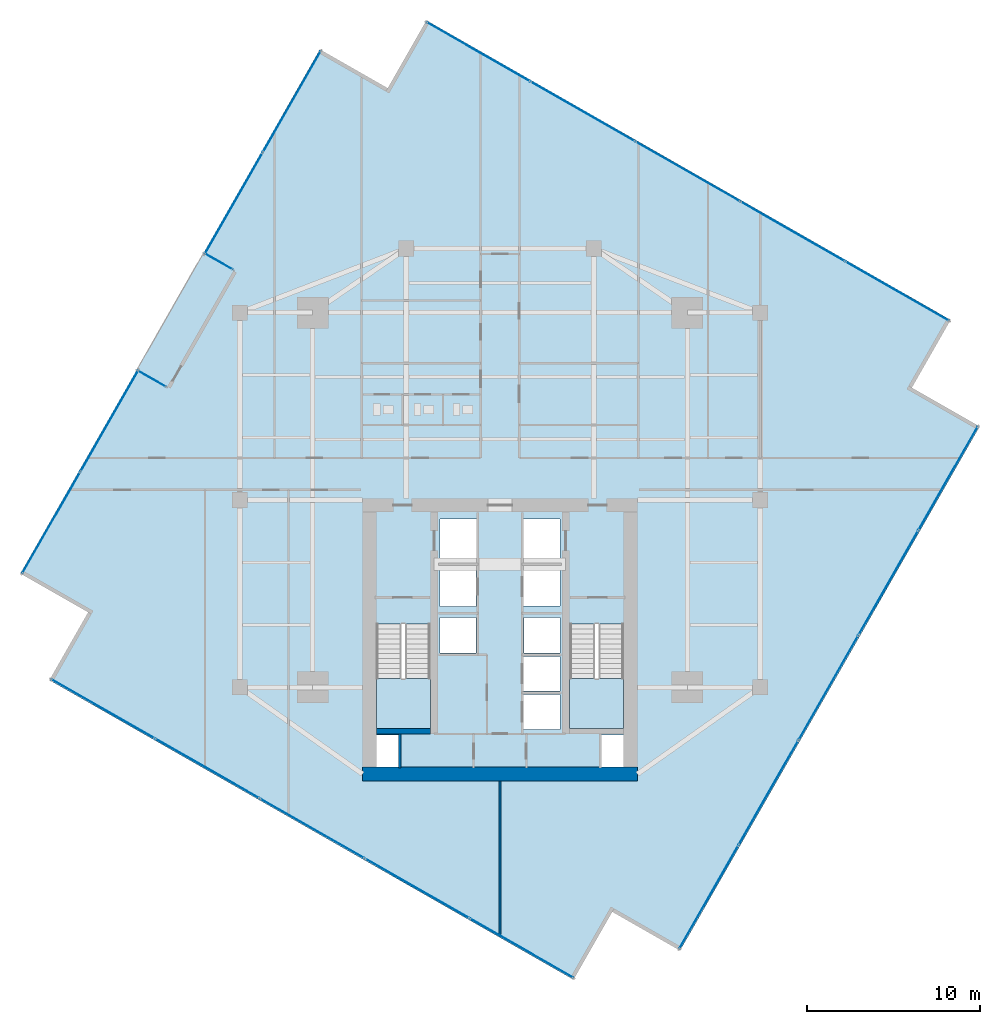
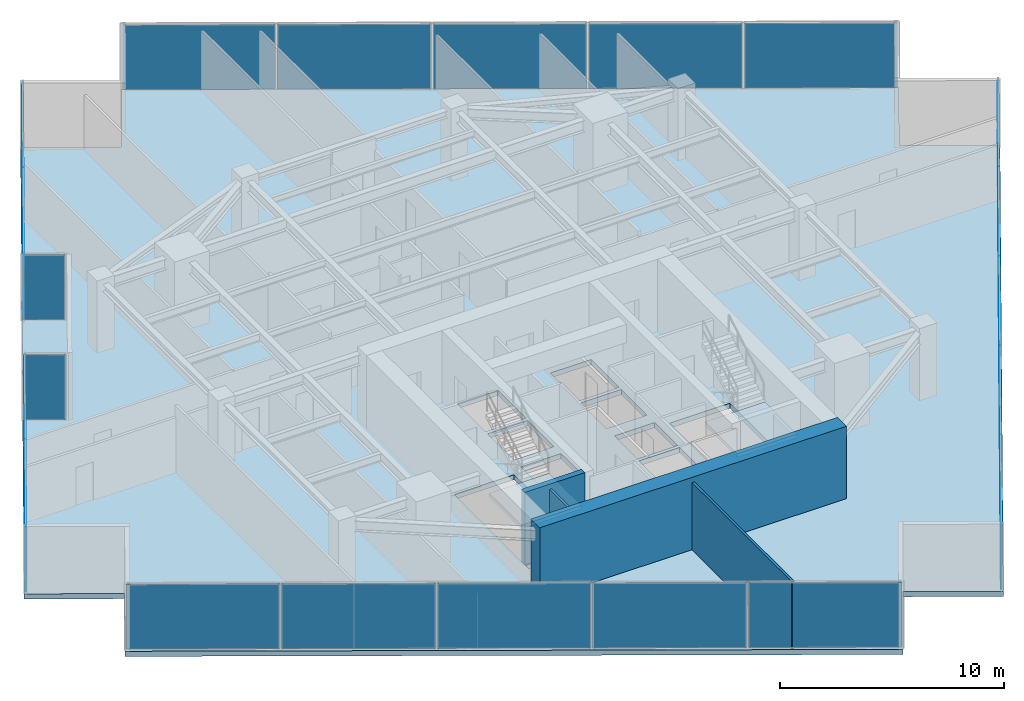
# One storey, part 19 of 24: 21 plates, 4 walls, 3 slabs, 9 elements without a shape of their own.
"""IFC4 building model written with IfcOpenShell, lengths in metres."""

from ifc_helpers import new_model, si_unit, direction, frame, frame_2d, origin, origin_2d, place, context, subcontext, project, spatial, polyline, rectangle, outline, extrude, source, transform, mapped, material, layer, layer_set, type_object, type_shapes, element, aggregate, save


model = new_model("IFC4")

# Units and contexts
model_context = context("Model", 3, precision=1e-05, world=origin(), true_north=direction((0.0, 1.0)))
body_context = subcontext(model_context, "Body", "Model", "MODEL_VIEW")
ifc_project = project(units=[si_unit("LENGTHUNIT", "METRE"), si_unit("AREAUNIT", "SQUARE_METRE"), si_unit("VOLUMEUNIT", "CUBIC_METRE"), si_unit("PLANEANGLEUNIT", "RADIAN"), si_unit("MASSUNIT", "GRAM", prefix="KILO")], contexts=[model_context])

# Site, building, storey
site_placement = place(None, origin())
site = spatial("IfcSite", under=ifc_project, at=site_placement, CompositionType="ELEMENT")
building_placement = place(site_placement, origin())
building = spatial("IfcBuilding", under=site, at=building_placement, Name="Krantzveldt Concourse Tower", CompositionType="ELEMENT")
storey_placement = place(building_placement, frame((0.0, 0.0, 169.89990234375)))
storey = spatial("IfcBuildingStorey", under=building, at=storey_placement, Name="L41", CompositionType="ELEMENT", Elevation=169.89990234375)

# Stair, slab
ifc_material_1 = material(Name="Precast concrete C40/50", Category="concrete")
stair_type = type_object("IfcStairType", Name="STR-CORE-DOGLEG", PredefinedType="HALF_TURN_STAIR", material=ifc_material_1)
stair_1_placement = place(storey_placement, origin())
stair_1 = element("IfcStair", 1, at=stair_1_placement, inside=storey, type_object=stair_type, Name="L41 Protected Escape Stair ST-1", PredefinedType="HALF_TURN_STAIR")
ifc_layer_1 = layer(ifc_material_1, 0.199951171875, Name="Precast concrete C40/50", Category="concrete")
ifc_layer_set_1 = layer_set([ifc_layer_1], Name="Precast concrete C40/50 (SL-LANDING-200)")
slab_type_1 = type_object("IfcSlabType", Name="SL-LANDING-200", PredefinedType="LANDING", material=ifc_layer_set_1)
slab_1_placement = place(storey_placement, frame((0.0, 0.0, 1.775146484375)))
slab_1 = element("IfcSlab", 2, at=slab_1_placement, type_object=slab_type_1, Name="ST-1 landing 1", PredefinedType="LANDING", context=body_context, shape_type="SweptSolid", body=[
    extrude(outline(polyline([(28.8798828125, 16.4150390625), (28.8798828125, 13.52001953125), (31.97998046875, 13.52001953125), (31.97998046875, 16.4150390625), (28.8798828125, 16.4150390625)])), origin(), (0.0, 0.0, 1.0), 0.199951171875),
])
aggregate(stair_1, [slab_1])

stair_2_placement = place(storey_placement, origin())
stair_2 = element("IfcStair", 3, at=stair_2_placement, inside=storey, type_object=stair_type, Name="L41 Protected Escape Stair ST-2", PredefinedType="HALF_TURN_STAIR")
slab_2_placement = place(storey_placement, frame((0.0, 0.0, 1.775146484375)))
slab_2 = element("IfcSlab", 4, at=slab_2_placement, type_object=slab_type_1, Name="ST-2 landing 1", PredefinedType="LANDING", context=body_context, shape_type="SweptSolid", body=[
    extrude(outline(polyline([(40.02001953125, 16.4150390625), (40.02001953125, 13.52001953125), (43.1201171875, 13.52001953125), (43.1201171875, 16.4150390625), (40.02001953125, 16.4150390625)])), origin(), (0.0, 0.0, 1.0), 0.199951171875),
])
aggregate(stair_2, [slab_2])

# Slab
ifc_material_2 = material(Name="Concrete C40/50", Category="concrete")
ifc_layer_2 = layer(ifc_material_2, 0.280029296875, Name="Concrete C40/50", Category="concrete")
ifc_layer_set_2 = layer_set([ifc_layer_2], Name="Concrete C40/50 (SL-SL-TER280)")
slab_type_2 = type_object("IfcSlabType", Name="SL-SL-TER280", PredefinedType="FLOOR", material=ifc_layer_set_2)
slab_3_placement = place(storey_placement, frame((0.0, 0.0, -0.27978515625)))
element("IfcSlab", 5, at=slab_3_placement, inside=storey, type_object=slab_type_2, Name="SL-L41-MAIN", PredefinedType="FLOOR", context=body_context, shape_type="SweptSolid", body=[
    extrude(outline(polyline([(29.527587890625, 50.44091796875), (25.62060546875, 52.673828125), (8.352294921875, 22.46044921875), (12.25927734375, 20.2275390625), (10.026123046875, 16.320556640625), (40.239501953125, -0.94775390625), (42.472412109375, 2.959228515625), (46.37939453125, 0.726318359375), (63.647705078125, 30.939453125), (59.74072265625, 33.172607421875), (61.973876953125, 37.079345703125), (31.760498046875, 54.34765625), (29.527587890625, 50.44091796875)]), holes=[polyline([(28.8798828125, 19.547607421875), (28.8798828125, 13.52001953125), (31.97998046875, 13.52001953125), (31.97998046875, 19.547607421875), (28.8798828125, 19.547607421875)]), polyline([(40.02001953125, 19.547607421875), (40.02001953125, 13.52001953125), (43.1201171875, 13.52001953125), (43.1201171875, 19.547607421875), (40.02001953125, 19.547607421875)]), polyline([(32.550048828125, 23.10009765625), (34.64990234375, 23.10009765625), (34.64990234375, 25.60009765625), (32.550048828125, 25.60009765625), (32.550048828125, 23.10009765625)]), polyline([(37.35009765625, 23.10009765625), (39.449951171875, 23.10009765625), (39.449951171875, 25.60009765625), (37.35009765625, 25.60009765625), (37.35009765625, 23.10009765625)]), polyline([(37.35009765625, 20.60009765625), (39.449951171875, 20.60009765625), (39.449951171875, 22.89990234375), (37.35009765625, 22.89990234375), (37.35009765625, 20.60009765625)]), polyline([(37.35009765625, 13.47998046875), (39.449951171875, 13.47998046875), (39.449951171875, 15.47998046875), (37.35009765625, 15.47998046875), (37.35009765625, 13.47998046875)]), polyline([(37.35009765625, 15.679931640625), (39.449951171875, 15.679931640625), (39.449951171875, 17.679931640625), (37.35009765625, 17.679931640625), (37.35009765625, 15.679931640625)]), polyline([(32.550048828125, 20.550048828125), (34.6201171875, 20.550048828125), (34.6201171875, 22.89990234375), (32.550048828125, 22.89990234375), (32.550048828125, 20.550048828125)]), polyline([(32.550048828125, 17.8798828125), (34.6201171875, 17.8798828125), (34.6201171875, 19.919921875), (32.550048828125, 19.919921875), (32.550048828125, 17.8798828125)]), polyline([(37.3798828125, 17.8798828125), (39.449951171875, 17.8798828125), (39.449951171875, 19.919921875), (37.3798828125, 19.919921875), (37.3798828125, 17.8798828125)]), polyline([(28.8798828125, 11.320068359375), (30.139892578125, 11.320068359375), (30.139892578125, 13.159912109375), (28.8798828125, 13.159912109375), (28.8798828125, 11.320068359375)]), polyline([(41.860107421875, 11.320068359375), (43.1201171875, 11.320068359375), (43.1201171875, 13.159912109375), (41.860107421875, 13.159912109375), (41.860107421875, 11.320068359375)])]), origin(), (0.0, 0.0, 1.0), 0.27978515625),
])

# Curtain wall, plate
ifc_material_3 = material(Name="Anodised aluminium 6063-T6", Category="aluminium")
curtain_wall_type_1 = type_object("IfcCurtainWallType", Name="CW6", PredefinedType="USERDEFINED", material=ifc_material_3)
curtain_wall_1_placement = place(storey_placement, origin())
curtain_wall_1 = element("IfcCurtainWall", 6, at=curtain_wall_1_placement, inside=storey, type_object=curtain_wall_type_1, Name="CW-L41-TR02", ObjectType="UNITISED CURTAIN WALL", PredefinedType="USERDEFINED")
ifc_material_4 = material(Name="Bronze-tinted laminated low-E IGU glass", Category="glass")
ifc_layer_3 = layer(ifc_material_4, 0.031982421875, Name="Bronze-tinted laminated low-E IGU glass", Category="glass")
ifc_layer_set_3 = layer_set([ifc_layer_3], Name="Bronze-tinted laminated low-E IGU glass (CW-GLZ-32)")
plate_type = type_object("IfcPlateType", Name="CW-GLZ-32", PredefinedType="CURTAIN_PANEL", material=ifc_layer_set_3)
shared_shape_1 = source(origin(), body_context, "Body", "SweptSolid", [
    extrude(rectangle(XDim=1.860107421875, YDim=0.031982421875, at=origin_2d()), origin(), (0.0, 0.0, 1.0), 3.530029296875),
])
plate_1_placement = place(storey_placement, frame((19.784912109375, 40.4482421875, 0.0703125), z_axis=(0.0, 0.0, 1.0), x_axis=(0.86819760013, -0.496218628357, 0.0)))
plate_1 = element("IfcPlate", 7, at=plate_1_placement, type_object=plate_type, Name="CW-TERR panel 1.1", PredefinedType="CURTAIN_PANEL", context=body_context, shape_type="MappedRepresentation", body=[
    mapped(shared_shape_1, transform((0.0, 0.0, 0.0), x_axis=(1.0, 0.0, 0.0), y_axis=(0.0, 1.0, 0.0), z_axis=(0.0, 0.0, 1.0), scale=1.0)),
])
aggregate(curtain_wall_1, [plate_1])

curtain_wall_2_placement = place(storey_placement, origin())
curtain_wall_2 = element("IfcCurtainWall", 8, at=curtain_wall_2_placement, inside=storey, type_object=curtain_wall_type_1, Name="CW-L41-TR04", ObjectType="UNITISED CURTAIN WALL", PredefinedType="USERDEFINED")
plate_2_placement = place(storey_placement, frame((15.92431640625, 33.693603515625, 0.0703125), z_axis=(0.0, 0.0, 1.0), x_axis=(-0.86819760013, 0.496218628357, 0.0)))
plate_2 = element("IfcPlate", 9, at=plate_2_placement, type_object=plate_type, Name="CW-TERR panel 1.1", PredefinedType="CURTAIN_PANEL", context=body_context, shape_type="MappedRepresentation", body=[
    mapped(shared_shape_1, transform((0.0, 0.0, 0.0), x_axis=(1.0, 0.0, 0.0), y_axis=(0.0, 1.0, 0.0), z_axis=(0.0, 0.0, 1.0), scale=1.0)),
])
aggregate(curtain_wall_2, [plate_2])

# Curtain wall, plates
curtain_wall_type_2 = type_object("IfcCurtainWallType", Name="CW3", PredefinedType="USERDEFINED", material=ifc_material_3)
curtain_wall_3_placement = place(storey_placement, origin())
curtain_wall_3 = element("IfcCurtainWall", 10, at=curtain_wall_3_placement, inside=storey, type_object=curtain_wall_type_2, Name="CW-L41-F08", ObjectType="UNITISED CURTAIN WALL", PredefinedType="USERDEFINED")
shared_shape_2 = source(origin(), body_context, "Body", "SweptSolid", [
    extrude(rectangle(XDim=6.85498046875, YDim=0.031982421875, at=origin_2d()), origin(), (0.0, 0.0, 1.0), 3.530029296875),
])
plate_3_placement = place(storey_placement, frame((13.107421875, 14.663330078125, 0.0703125), z_axis=(0.0, 0.0, 1.0), x_axis=(0.868198876949, -0.496216394392, 0.0)))
plate_3 = element("IfcPlate", 11, at=plate_3_placement, type_object=plate_type, Name="CW-Z34 panel 1.1", PredefinedType="CURTAIN_PANEL", context=body_context, shape_type="MappedRepresentation", body=[
    mapped(shared_shape_2, transform((0.0, 0.0, 0.0), x_axis=(1.0, 0.0, 0.0), y_axis=(0.0, 1.0, 0.0), z_axis=(0.0, 0.0, 1.0), scale=1.0)),
])
plate_4_placement = place(storey_placement, frame((37.24755859375, 0.865966796875, 0.0703125), z_axis=(0.0, 0.0, 1.0), x_axis=(0.868198876949, -0.496216394392, 0.0)))
plate_4 = element("IfcPlate", 12, at=plate_4_placement, type_object=plate_type, Name="CW-Z34 panel 5.1", PredefinedType="CURTAIN_PANEL", context=body_context, shape_type="MappedRepresentation", body=[
    mapped(shared_shape_2, transform((0.0, 0.0, 0.0), x_axis=(1.0, 0.0, 0.0), y_axis=(0.0, 1.0, 0.0), z_axis=(0.0, 0.0, 1.0), scale=1.0)),
])

curtain_wall_4_placement = place(storey_placement, origin())
curtain_wall_4 = element("IfcCurtainWall", 13, at=curtain_wall_4_placement, inside=storey, type_object=curtain_wall_type_2, Name="CW-L41-F11", ObjectType="UNITISED CURTAIN WALL", PredefinedType="USERDEFINED")
plate_5_placement = place(storey_placement, frame((48.036865234375, 3.807373046875, 0.0703125), z_axis=(0.0, 0.0, 1.0), x_axis=(0.496216394392, 0.868198876949, 0.0)))
plate_5 = element("IfcPlate", 14, at=plate_5_placement, type_object=plate_type, Name="CW-Z34 panel 1.1", PredefinedType="CURTAIN_PANEL", context=body_context, shape_type="MappedRepresentation", body=[
    mapped(shared_shape_2, transform((0.0, 0.0, 0.0), x_axis=(1.0, 0.0, 0.0), y_axis=(0.0, 1.0, 0.0), z_axis=(0.0, 0.0, 1.0), scale=1.0)),
])
plate_6_placement = place(storey_placement, frame((61.833984375, 27.94775390625, 0.0703125), z_axis=(0.0, 0.0, 1.0), x_axis=(0.496216394392, 0.868198876949, 0.0)))
plate_6 = element("IfcPlate", 15, at=plate_6_placement, type_object=plate_type, Name="CW-Z34 panel 5.1", PredefinedType="CURTAIN_PANEL", context=body_context, shape_type="MappedRepresentation", body=[
    mapped(shared_shape_2, transform((0.0, 0.0, 0.0), x_axis=(1.0, 0.0, 0.0), y_axis=(0.0, 1.0, 0.0), z_axis=(0.0, 0.0, 1.0), scale=1.0)),
])

curtain_wall_5_placement = place(storey_placement, origin())
curtain_wall_5 = element("IfcCurtainWall", 16, at=curtain_wall_5_placement, inside=storey, type_object=curtain_wall_type_2, Name="CW-L41-F14", ObjectType="UNITISED CURTAIN WALL", PredefinedType="USERDEFINED")
plate_7_placement = place(storey_placement, frame((58.892578125, 38.73681640625, 0.0703125), z_axis=(0.0, 0.0, 1.0), x_axis=(-0.868198876949, 0.496216394392, 0.0)))
plate_7 = element("IfcPlate", 17, at=plate_7_placement, type_object=plate_type, Name="CW-Z34 panel 1.1", PredefinedType="CURTAIN_PANEL", context=body_context, shape_type="MappedRepresentation", body=[
    mapped(shared_shape_2, transform((0.0, 0.0, 0.0), x_axis=(1.0, 0.0, 0.0), y_axis=(0.0, 1.0, 0.0), z_axis=(0.0, 0.0, 1.0), scale=1.0)),
])
plate_8_placement = place(storey_placement, frame((34.75244140625, 52.5341796875, 0.0703125), z_axis=(0.0, 0.0, 1.0), x_axis=(-0.868198876949, 0.496216394392, 0.0)))
plate_8 = element("IfcPlate", 18, at=plate_8_placement, type_object=plate_type, Name="CW-Z34 panel 5.1", PredefinedType="CURTAIN_PANEL", context=body_context, shape_type="MappedRepresentation", body=[
    mapped(shared_shape_2, transform((0.0, 0.0, 0.0), x_axis=(1.0, 0.0, 0.0), y_axis=(0.0, 1.0, 0.0), z_axis=(0.0, 0.0, 1.0), scale=1.0)),
])

# Plate
shared_shape_3 = source(origin(), body_context, "Body", "SweptSolid", [
    extrude(rectangle(XDim=6.889892578125, YDim=0.031982421875, at=origin_2d()), origin(), (0.0, 0.0, 1.0), 3.530029296875),
])
plate_9_placement = place(storey_placement, frame((19.134765625, 11.21826171875, 0.0703125), z_axis=(0.0, 0.0, 1.0), x_axis=(0.868198876949, -0.496216394392, 0.0)))
plate_9 = element("IfcPlate", 19, at=plate_9_placement, type_object=plate_type, Name="CW-Z34 panel 2.1", PredefinedType="CURTAIN_PANEL", context=body_context, shape_type="MappedRepresentation", body=[
    mapped(shared_shape_3, transform((0.0, 0.0, 0.0), x_axis=(1.0, 0.0, 0.0), y_axis=(0.0, 1.0, 0.0), z_axis=(0.0, 0.0, 1.0), scale=1.0)),
])

plate_10_placement = place(storey_placement, frame((25.177490234375, 7.7646484375, 0.0703125), z_axis=(0.0, 0.0, 1.0), x_axis=(0.868198876949, -0.496216394392, 0.0)))
plate_10 = element("IfcPlate", 20, at=plate_10_placement, type_object=plate_type, Name="CW-Z34 panel 3.1", PredefinedType="CURTAIN_PANEL", context=body_context, shape_type="MappedRepresentation", body=[
    mapped(shared_shape_3, transform((0.0, 0.0, 0.0), x_axis=(1.0, 0.0, 0.0), y_axis=(0.0, 1.0, 0.0), z_axis=(0.0, 0.0, 1.0), scale=1.0)),
])

plate_11_placement = place(storey_placement, frame((31.22021484375, 4.31103515625, 0.0703125), z_axis=(0.0, 0.0, 1.0), x_axis=(0.868198876949, -0.496216394392, 0.0)))
plate_11 = element("IfcPlate", 21, at=plate_11_placement, type_object=plate_type, Name="CW-Z34 panel 4.1", PredefinedType="CURTAIN_PANEL", context=body_context, shape_type="MappedRepresentation", body=[
    mapped(shared_shape_3, transform((0.0, 0.0, 0.0), x_axis=(1.0, 0.0, 0.0), y_axis=(0.0, 1.0, 0.0), z_axis=(0.0, 0.0, 1.0), scale=1.0)),
])

aggregate(curtain_wall_3, [plate_3, plate_9, plate_10, plate_11, plate_4])

plate_12_placement = place(storey_placement, frame((51.481689453125, 9.8349609375, 0.0703125), z_axis=(0.0, 0.0, 1.0), x_axis=(0.496216394392, 0.868198876949, 0.0)))
plate_12 = element("IfcPlate", 22, at=plate_12_placement, type_object=plate_type, Name="CW-Z34 panel 2.1", PredefinedType="CURTAIN_PANEL", context=body_context, shape_type="MappedRepresentation", body=[
    mapped(shared_shape_3, transform((0.0, 0.0, 0.0), x_axis=(1.0, 0.0, 0.0), y_axis=(0.0, 1.0, 0.0), z_axis=(0.0, 0.0, 1.0), scale=1.0)),
])

plate_13_placement = place(storey_placement, frame((54.935302734375, 15.87744140625, 0.0703125), z_axis=(0.0, 0.0, 1.0), x_axis=(0.496216394392, 0.868198876949, 0.0)))
plate_13 = element("IfcPlate", 23, at=plate_13_placement, type_object=plate_type, Name="CW-Z34 panel 3.1", PredefinedType="CURTAIN_PANEL", context=body_context, shape_type="MappedRepresentation", body=[
    mapped(shared_shape_3, transform((0.0, 0.0, 0.0), x_axis=(1.0, 0.0, 0.0), y_axis=(0.0, 1.0, 0.0), z_axis=(0.0, 0.0, 1.0), scale=1.0)),
])

plate_14_placement = place(storey_placement, frame((58.38916015625, 21.920166015625, 0.0703125), z_axis=(0.0, 0.0, 1.0), x_axis=(0.496216394392, 0.868198876949, 0.0)))
plate_14 = element("IfcPlate", 24, at=plate_14_placement, type_object=plate_type, Name="CW-Z34 panel 4.1", PredefinedType="CURTAIN_PANEL", context=body_context, shape_type="MappedRepresentation", body=[
    mapped(shared_shape_3, transform((0.0, 0.0, 0.0), x_axis=(1.0, 0.0, 0.0), y_axis=(0.0, 1.0, 0.0), z_axis=(0.0, 0.0, 1.0), scale=1.0)),
])

aggregate(curtain_wall_4, [plate_5, plate_12, plate_13, plate_14, plate_6])

plate_15_placement = place(storey_placement, frame((52.865234375, 42.181640625, 0.0703125), z_axis=(0.0, 0.0, 1.0), x_axis=(-0.868198876949, 0.496216394392, 0.0)))
plate_15 = element("IfcPlate", 25, at=plate_15_placement, type_object=plate_type, Name="CW-Z34 panel 2.1", PredefinedType="CURTAIN_PANEL", context=body_context, shape_type="MappedRepresentation", body=[
    mapped(shared_shape_3, transform((0.0, 0.0, 0.0), x_axis=(1.0, 0.0, 0.0), y_axis=(0.0, 1.0, 0.0), z_axis=(0.0, 0.0, 1.0), scale=1.0)),
])

plate_16_placement = place(storey_placement, frame((46.822509765625, 45.635498046875, 0.0703125), z_axis=(0.0, 0.0, 1.0), x_axis=(-0.868198876949, 0.496216394392, 0.0)))
plate_16 = element("IfcPlate", 26, at=plate_16_placement, type_object=plate_type, Name="CW-Z34 panel 3.1", PredefinedType="CURTAIN_PANEL", context=body_context, shape_type="MappedRepresentation", body=[
    mapped(shared_shape_3, transform((0.0, 0.0, 0.0), x_axis=(1.0, 0.0, 0.0), y_axis=(0.0, 1.0, 0.0), z_axis=(0.0, 0.0, 1.0), scale=1.0)),
])

plate_17_placement = place(storey_placement, frame((40.77978515625, 49.089111328125, 0.0703125), z_axis=(0.0, 0.0, 1.0), x_axis=(-0.868198876949, 0.496216394392, 0.0)))
plate_17 = element("IfcPlate", 27, at=plate_17_placement, type_object=plate_type, Name="CW-Z34 panel 4.1", PredefinedType="CURTAIN_PANEL", context=body_context, shape_type="MappedRepresentation", body=[
    mapped(shared_shape_3, transform((0.0, 0.0, 0.0), x_axis=(1.0, 0.0, 0.0), y_axis=(0.0, 1.0, 0.0), z_axis=(0.0, 0.0, 1.0), scale=1.0)),
])

aggregate(curtain_wall_5, [plate_7, plate_15, plate_16, plate_17, plate_8])

# Curtain wall, plates
curtain_wall_6_placement = place(storey_placement, origin())
curtain_wall_6 = element("IfcCurtainWall", 28, at=curtain_wall_6_placement, inside=storey, type_object=curtain_wall_type_2, Name="CW-L41-F01", ObjectType="UNITISED CURTAIN WALL", PredefinedType="USERDEFINED")
shared_shape_4 = source(origin(), body_context, "Body", "SweptSolid", [
    extrude(rectangle(XDim=6.695068359375, YDim=0.031982421875, at=origin_2d()), origin(), (0.0, 0.0, 1.0), 3.530029296875),
])
type_shapes(plate_type, [shared_shape_1, shared_shape_2, shared_shape_3, shared_shape_4])
plate_18_placement = place(storey_placement, frame((24.0029296875, 49.662109375, 0.0703125), z_axis=(0.0, 0.0, 1.0), x_axis=(-0.496216379861, -0.868198885255, 0.0)))
plate_18 = element("IfcPlate", 29, at=plate_18_placement, type_object=plate_type, Name="CW-Z34 panel 1.1", PredefinedType="CURTAIN_PANEL", context=body_context, shape_type="MappedRepresentation", body=[
    mapped(shared_shape_4, transform((0.0, 0.0, 0.0), x_axis=(1.0, 0.0, 0.0), y_axis=(0.0, 1.0, 0.0), z_axis=(0.0, 0.0, 1.0), scale=1.0)),
])
plate_19_placement = place(storey_placement, frame((20.64599609375, 43.788818359375, 0.0703125), z_axis=(0.0, 0.0, 1.0), x_axis=(-0.496216379861, -0.868198885255, 0.0)))
plate_19 = element("IfcPlate", 30, at=plate_19_placement, type_object=plate_type, Name="CW-Z34 panel 2.1", PredefinedType="CURTAIN_PANEL", context=body_context, shape_type="MappedRepresentation", body=[
    mapped(shared_shape_4, transform((0.0, 0.0, 0.0), x_axis=(1.0, 0.0, 0.0), y_axis=(0.0, 1.0, 0.0), z_axis=(0.0, 0.0, 1.0), scale=1.0)),
])
aggregate(curtain_wall_6, [plate_18, plate_19])

curtain_wall_7_placement = place(storey_placement, origin())
curtain_wall_7 = element("IfcCurtainWall", 31, at=curtain_wall_7_placement, inside=storey, type_object=curtain_wall_type_2, Name="CW-L41-F05", ObjectType="UNITISED CURTAIN WALL", PredefinedType="USERDEFINED")
plate_20_placement = place(storey_placement, frame((13.483154296875, 31.25634765625, 0.0703125), z_axis=(0.0, 0.0, 1.0), x_axis=(-0.496216063073, -0.868199066314, 0.0)))
plate_20 = element("IfcPlate", 32, at=plate_20_placement, type_object=plate_type, Name="CW-Z34 panel 1.1", PredefinedType="CURTAIN_PANEL", context=body_context, shape_type="MappedRepresentation", body=[
    mapped(shared_shape_4, transform((0.0, 0.0, 0.0), x_axis=(1.0, 0.0, 0.0), y_axis=(0.0, 1.0, 0.0), z_axis=(0.0, 0.0, 1.0), scale=1.0)),
])
plate_21_placement = place(storey_placement, frame((10.126220703125, 25.3828125, 0.0703125), z_axis=(0.0, 0.0, 1.0), x_axis=(-0.496216063073, -0.868199066314, 0.0)))
plate_21 = element("IfcPlate", 33, at=plate_21_placement, type_object=plate_type, Name="CW-Z34 panel 2.1", PredefinedType="CURTAIN_PANEL", context=body_context, shape_type="MappedRepresentation", body=[
    mapped(shared_shape_4, transform((0.0, 0.0, 0.0), x_axis=(1.0, 0.0, 0.0), y_axis=(0.0, 1.0, 0.0), z_axis=(0.0, 0.0, 1.0), scale=1.0)),
])
aggregate(curtain_wall_7, [plate_20, plate_21])

# Walls
ifc_material_5 = material(Name="Fire-rated gypsum plasterboard on steel stud", Category="steel")
ifc_layer_4 = layer(ifc_material_5, 0.1201171875, Name="Fire-rated gypsum plasterboard on steel stud", Category="steel")
ifc_layer_set_4 = layer_set([ifc_layer_4], Name="Fire-rated gypsum plasterboard on steel stud (WL-PART-120)")
wall_type_1 = type_object("IfcWallType", Name="WL-PART-120", PredefinedType="PARTITIONING", material=ifc_layer_set_4)
wall_1_placement = place(storey_placement, frame((36.0, 1.5791015625, 0.0), z_axis=(0.0, 0.0, 1.0), x_axis=(0.0, 1.0, 0.0)))
element("IfcWall", 34, at=wall_1_placement, inside=storey, type_object=wall_type_1, Name="WP-L41-SMID", PredefinedType="PARTITIONING", context=body_context, shape_type="SweptSolid", body=[
    extrude(rectangle(XDim=8.9208984375, YDim=0.1201171875, at=frame_2d((4.46044921875, 0.0))), origin(), (0.0, 0.0, 1.0), 3.670166015625),
])
ifc_layer_5 = layer(ifc_material_5, 0.139892578125, Name="Fire-rated gypsum plasterboard on steel stud", Category="steel")
ifc_layer_set_5 = layer_set([ifc_layer_5], Name="Fire-rated gypsum plasterboard on steel stud (WL-PART-FR140)")
wall_type_2 = type_object("IfcWallType", Name="WL-PART-FR140", PredefinedType="PARTITIONING", material=ifc_layer_set_5)
wall_2_placement = place(storey_placement, frame((30.219970703125, 11.25, 0.0), z_axis=(0.0, 0.0, 1.0), x_axis=(0.0, 1.0, 0.0)))
element("IfcWall", 35, at=wall_2_placement, inside=storey, type_object=wall_type_2, Name="WP-L41-RSW", PredefinedType="PARTITIONING", context=body_context, shape_type="SweptSolid", body=[
    extrude(rectangle(XDim=1.969970703125, YDim=0.1201171875, at=frame_2d((0.98486328125, 0.0))), origin(), (0.0, 0.0, 1.0), 3.670166015625),
])
ifc_material_6 = material(Name="Concrete C50/60", Category="concrete")
ifc_layer_6 = layer(ifc_material_6, 0.300048828125, Name="Concrete C50/60", Category="concrete")
ifc_layer_set_6 = layer_set([ifc_layer_6], Name="Concrete C50/60 (WL-SHEAR-300)")
wall_type_3 = type_object("IfcWallType", Name="WL-SHEAR-300", PredefinedType="SHEAR", material=ifc_layer_set_6)
wall_3_placement = place(storey_placement, frame((28.8798828125, 13.3701171875, 0.0), z_axis=(0.0, 0.0, 1.0), x_axis=(1.0, 0.0, 0.0)))
element("IfcWall", 36, at=wall_3_placement, inside=storey, type_object=wall_type_3, Name="CW-L41-ST1S", PredefinedType="SHEAR", context=body_context, shape_type="SweptSolid", body=[
    extrude(rectangle(XDim=3.10009765625, YDim=0.300048828125, at=frame_2d((1.550048828125, 0.0))), origin(), (0.0, 0.0, 1.0), 3.9501953125),
])
ifc_material_7 = material(Name="Concrete C60/75", Category="concrete")
ifc_layer_7 = layer(ifc_material_7, 0.800048828125, Name="Concrete C60/75", Category="concrete")
ifc_layer_set_7 = layer_set([ifc_layer_7], Name="Concrete C60/75 (WL-SHEAR-800)")
wall_type_4 = type_object("IfcWallType", Name="WL-SHEAR-800", PredefinedType="SHEAR", material=ifc_layer_set_7)
wall_4_placement = place(storey_placement, frame((28.080078125, 10.89990234375, 0.0), z_axis=(0.0, 0.0, 1.0), x_axis=(1.0, 0.0, 0.0)))
element("IfcWall", 37, at=wall_4_placement, inside=storey, type_object=wall_type_4, Name="CW-L41-S", PredefinedType="SHEAR", context=body_context, shape_type="SweptSolid", body=[
    extrude(rectangle(XDim=15.83984375, YDim=0.800048828125, at=frame_2d((7.919921875, 0.0))), origin(), (0.0, 0.0, 1.0), 3.9501953125),
])

save(model, "model.ifc")
